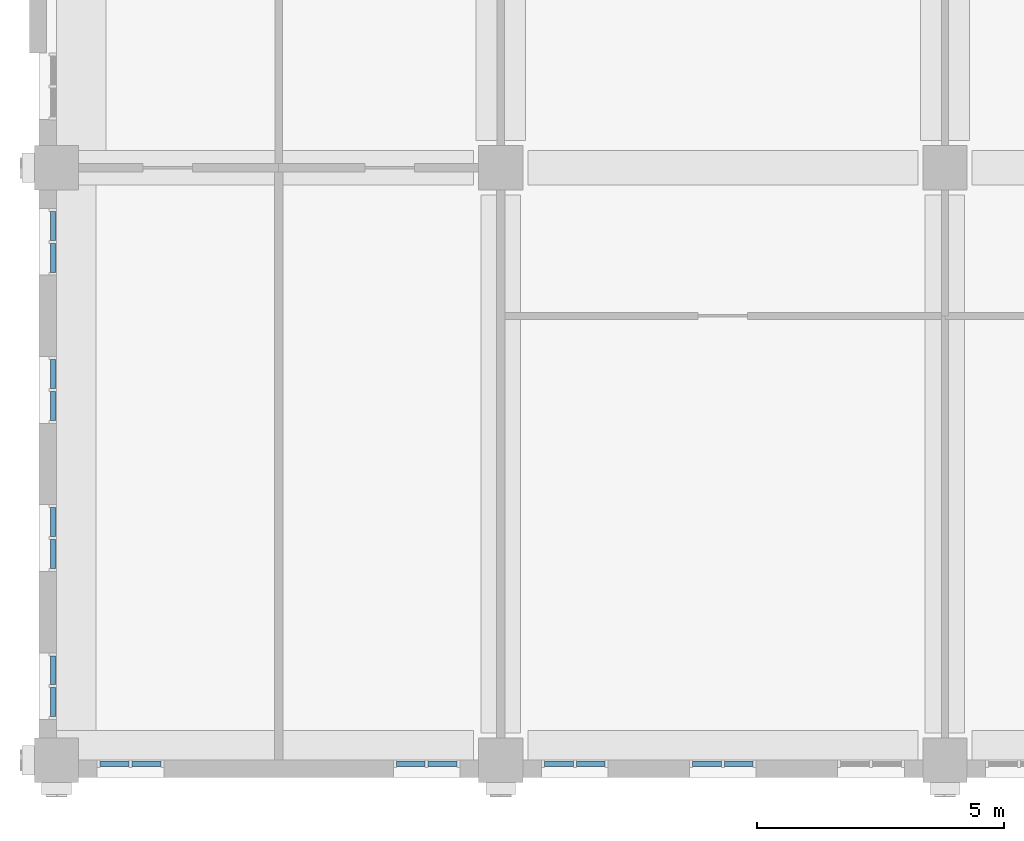
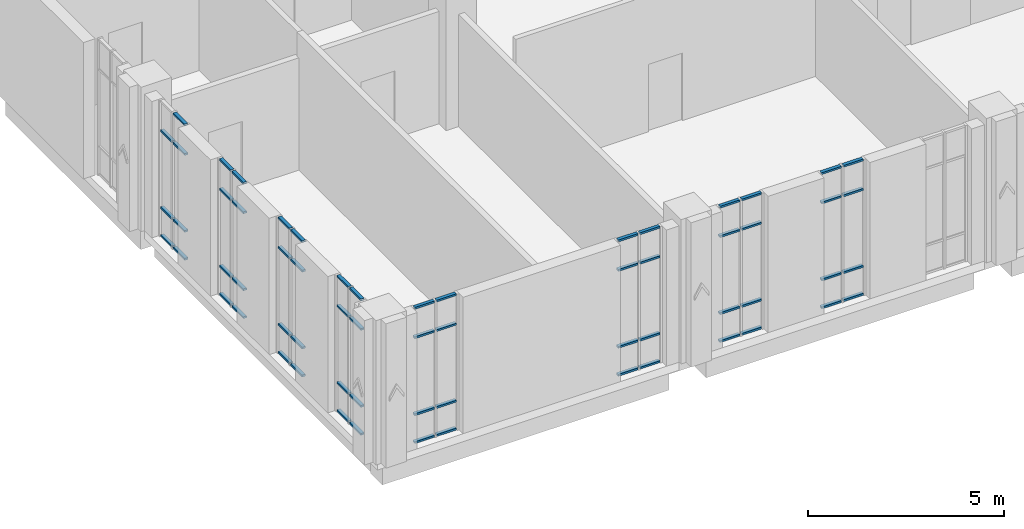
# One storey, part 10 of 25: 63 members, 8 elements without a shape of their own.
"""IFC4 building model written with IfcOpenShell, lengths in metres."""

from ifc_helpers import new_model, si_unit, direction, frame, origin, origin_2d, place, context, subcontext, project, spatial, rectangle, extrude, material, layer, layer_set, material_profile, profile_set, type_object, element, aggregate, save


model = new_model("IFC4")

# Units and contexts
model_context = context("Model", 3, precision=1e-05, world=origin(), true_north=direction((0.0, 1.0)))
body_context = subcontext(model_context, "Body", "Model", "MODEL_VIEW")
ifc_project = project(units=[si_unit("LENGTHUNIT", "METRE"), si_unit("AREAUNIT", "SQUARE_METRE"), si_unit("VOLUMEUNIT", "CUBIC_METRE"), si_unit("PLANEANGLEUNIT", "RADIAN"), si_unit("MASSUNIT", "GRAM", prefix="KILO")], contexts=[model_context])

# Site, building, storey
site_placement = place(None, origin())
site = spatial("IfcSite", under=ifc_project, at=site_placement, CompositionType="ELEMENT")
building_placement = place(site_placement, origin())
building = spatial("IfcBuilding", under=site, at=building_placement, Name="Aurelan Courthouse", CompositionType="ELEMENT")
storey_placement = place(building_placement, frame((0.0, 0.0, 44.39990234375)))
storey = spatial("IfcBuildingStorey", under=building, at=storey_placement, Name="L08", CompositionType="ELEMENT", Elevation=44.39990234375)

# Curtain wall, members
ifc_material_1 = material(Name="Bronze-finished aluminium and glass", Category="aluminium")
ifc_layer = layer(ifc_material_1, 0.14990234375)
ifc_layer_set = layer_set([ifc_layer], Name="Bronze-finished aluminium and glass")
curtain_wall_type = type_object("IfcCurtainWallType", Name="Curtain wall 1350 x 4250", PredefinedType="NOTDEFINED", material=ifc_layer_set)
curtain_wall_1_placement = place(storey_placement, origin())
curtain_wall_1 = element("IfcCurtainWall", 1, at=curtain_wall_1_placement, inside=storey, type_object=curtain_wall_type, Name="Curtain wall CW-V5-L08-S01", PredefinedType="NOTDEFINED")
ifc_material_2 = material(Name="Bronze-finished aluminium", Category="aluminium")
ifc_material_profile = material_profile(ifc_material_2, rectangle(XDim=0.10009765625, YDim=0.06005859375, at=origin_2d()), Name="Bronze transom 60 x 100")
ifc_profile_set = profile_set([ifc_material_profile], Name="Bronze-finished aluminium")
member_type = type_object("IfcMemberType", Name="Curtain wall transom 60 x 100", PredefinedType="USERDEFINED", material=ifc_profile_set)
member_1_placement = place(storey_placement, frame((0.885009765625, -0.074951171875, 0.030029296875), z_axis=(1.0, 0.0, 0.0), x_axis=(0.0, 1.0, 0.0)))
member_1 = element("IfcMember", 2, at=member_1_placement, type_object=member_type, Name="CW-V5-L08-S01 transom 1.1", ObjectType="TRANSOM", PredefinedType="USERDEFINED", context=body_context, shape_type="SweptSolid", body=[
    extrude(rectangle(XDim=0.10009765625, YDim=0.06005859375, at=origin_2d()), origin(), (0.0, 0.0, 1.0), 0.5849609375),
])
member_2_placement = place(storey_placement, frame((0.885009765625, -0.074951171875, 0.900146484375), z_axis=(1.0, 0.0, 0.0), x_axis=(0.0, 1.0, 0.0)))
member_2 = element("IfcMember", 3, at=member_2_placement, type_object=member_type, Name="CW-V5-L08-S01 transom 1.2", ObjectType="TRANSOM", PredefinedType="USERDEFINED", context=body_context, shape_type="SweptSolid", body=[
    extrude(rectangle(XDim=0.10009765625, YDim=0.06005859375, at=origin_2d()), origin(), (0.0, 0.0, 1.0), 0.5849609375),
])
member_3_placement = place(storey_placement, frame((0.885009765625, -0.074951171875, 3.300048828125), z_axis=(1.0, 0.0, 0.0), x_axis=(0.0, 1.0, 0.0)))
member_3 = element("IfcMember", 4, at=member_3_placement, type_object=member_type, Name="CW-V5-L08-S01 transom 1.3", ObjectType="TRANSOM", PredefinedType="USERDEFINED", context=body_context, shape_type="SweptSolid", body=[
    extrude(rectangle(XDim=0.10009765625, YDim=0.06005859375, at=origin_2d()), origin(), (0.0, 0.0, 1.0), 0.5849609375),
])
member_4_placement = place(storey_placement, frame((0.885009765625, -0.074951171875, 4.22021484375), z_axis=(1.0, 0.0, 0.0), x_axis=(0.0, 1.0, 0.0)))
member_4 = element("IfcMember", 5, at=member_4_placement, type_object=member_type, Name="CW-V5-L08-S01 transom 1.4", ObjectType="TRANSOM", PredefinedType="USERDEFINED", context=body_context, shape_type="SweptSolid", body=[
    extrude(rectangle(XDim=0.10009765625, YDim=0.06005859375, at=origin_2d()), origin(), (0.0, 0.0, 1.0), 0.5849609375),
])
member_5_placement = place(storey_placement, frame((1.530029296875, -0.074951171875, 0.030029296875), z_axis=(1.0, 0.0, 0.0), x_axis=(0.0, 1.0, 0.0)))
member_5 = element("IfcMember", 6, at=member_5_placement, type_object=member_type, Name="CW-V5-L08-S01 transom 2.1", ObjectType="TRANSOM", PredefinedType="USERDEFINED", context=body_context, shape_type="SweptSolid", body=[
    extrude(rectangle(XDim=0.10009765625, YDim=0.06005859375, at=origin_2d()), origin(), (0.0, 0.0, 1.0), 0.5849609375),
])
member_6_placement = place(storey_placement, frame((1.530029296875, -0.074951171875, 0.900146484375), z_axis=(1.0, 0.0, 0.0), x_axis=(0.0, 1.0, 0.0)))
member_6 = element("IfcMember", 7, at=member_6_placement, type_object=member_type, Name="CW-V5-L08-S01 transom 2.2", ObjectType="TRANSOM", PredefinedType="USERDEFINED", context=body_context, shape_type="SweptSolid", body=[
    extrude(rectangle(XDim=0.10009765625, YDim=0.06005859375, at=origin_2d()), origin(), (0.0, 0.0, 1.0), 0.5849609375),
])
member_7_placement = place(storey_placement, frame((1.530029296875, -0.074951171875, 3.300048828125), z_axis=(1.0, 0.0, 0.0), x_axis=(0.0, 1.0, 0.0)))
member_7 = element("IfcMember", 8, at=member_7_placement, type_object=member_type, Name="CW-V5-L08-S01 transom 2.3", ObjectType="TRANSOM", PredefinedType="USERDEFINED", context=body_context, shape_type="SweptSolid", body=[
    extrude(rectangle(XDim=0.10009765625, YDim=0.06005859375, at=origin_2d()), origin(), (0.0, 0.0, 1.0), 0.5849609375),
])
member_8_placement = place(storey_placement, frame((1.530029296875, -0.074951171875, 4.22021484375), z_axis=(1.0, 0.0, 0.0), x_axis=(0.0, 1.0, 0.0)))
member_8 = element("IfcMember", 9, at=member_8_placement, type_object=member_type, Name="CW-V5-L08-S01 transom 2.4", ObjectType="TRANSOM", PredefinedType="USERDEFINED", context=body_context, shape_type="SweptSolid", body=[
    extrude(rectangle(XDim=0.10009765625, YDim=0.06005859375, at=origin_2d()), origin(), (0.0, 0.0, 1.0), 0.5849609375),
])
aggregate(curtain_wall_1, [member_1, member_2, member_3, member_4, member_5, member_6, member_7, member_8])

curtain_wall_2_placement = place(storey_placement, origin())
curtain_wall_2 = element("IfcCurtainWall", 10, at=curtain_wall_2_placement, inside=storey, type_object=curtain_wall_type, Name="Curtain wall CW-V5-L08-S02", PredefinedType="NOTDEFINED")
member_9_placement = place(storey_placement, frame((6.885009765625, -0.074951171875, 0.030029296875), z_axis=(1.0, 0.0, 0.0), x_axis=(0.0, 1.0, 0.0)))
member_9 = element("IfcMember", 11, at=member_9_placement, type_object=member_type, Name="CW-V5-L08-S02 transom 1.1", ObjectType="TRANSOM", PredefinedType="USERDEFINED", context=body_context, shape_type="SweptSolid", body=[
    extrude(rectangle(XDim=0.10009765625, YDim=0.06005859375, at=origin_2d()), origin(), (0.0, 0.0, 1.0), 0.5849609375),
])
member_10_placement = place(storey_placement, frame((6.885009765625, -0.074951171875, 0.900146484375), z_axis=(1.0, 0.0, 0.0), x_axis=(0.0, 1.0, 0.0)))
member_10 = element("IfcMember", 12, at=member_10_placement, type_object=member_type, Name="CW-V5-L08-S02 transom 1.2", ObjectType="TRANSOM", PredefinedType="USERDEFINED", context=body_context, shape_type="SweptSolid", body=[
    extrude(rectangle(XDim=0.10009765625, YDim=0.06005859375, at=origin_2d()), origin(), (0.0, 0.0, 1.0), 0.5849609375),
])
member_11_placement = place(storey_placement, frame((6.885009765625, -0.074951171875, 3.300048828125), z_axis=(1.0, 0.0, 0.0), x_axis=(0.0, 1.0, 0.0)))
member_11 = element("IfcMember", 13, at=member_11_placement, type_object=member_type, Name="CW-V5-L08-S02 transom 1.3", ObjectType="TRANSOM", PredefinedType="USERDEFINED", context=body_context, shape_type="SweptSolid", body=[
    extrude(rectangle(XDim=0.10009765625, YDim=0.06005859375, at=origin_2d()), origin(), (0.0, 0.0, 1.0), 0.5849609375),
])
member_12_placement = place(storey_placement, frame((6.885009765625, -0.074951171875, 4.22021484375), z_axis=(1.0, 0.0, 0.0), x_axis=(0.0, 1.0, 0.0)))
member_12 = element("IfcMember", 14, at=member_12_placement, type_object=member_type, Name="CW-V5-L08-S02 transom 1.4", ObjectType="TRANSOM", PredefinedType="USERDEFINED", context=body_context, shape_type="SweptSolid", body=[
    extrude(rectangle(XDim=0.10009765625, YDim=0.06005859375, at=origin_2d()), origin(), (0.0, 0.0, 1.0), 0.5849609375),
])
member_13_placement = place(storey_placement, frame((7.530029296875, -0.074951171875, 0.030029296875), z_axis=(1.0, 0.0, 0.0), x_axis=(0.0, 1.0, 0.0)))
member_13 = element("IfcMember", 15, at=member_13_placement, type_object=member_type, Name="CW-V5-L08-S02 transom 2.1", ObjectType="TRANSOM", PredefinedType="USERDEFINED", context=body_context, shape_type="SweptSolid", body=[
    extrude(rectangle(XDim=0.10009765625, YDim=0.06005859375, at=origin_2d()), origin(), (0.0, 0.0, 1.0), 0.5849609375),
])
member_14_placement = place(storey_placement, frame((7.530029296875, -0.074951171875, 0.900146484375), z_axis=(1.0, 0.0, 0.0), x_axis=(0.0, 1.0, 0.0)))
member_14 = element("IfcMember", 16, at=member_14_placement, type_object=member_type, Name="CW-V5-L08-S02 transom 2.2", ObjectType="TRANSOM", PredefinedType="USERDEFINED", context=body_context, shape_type="SweptSolid", body=[
    extrude(rectangle(XDim=0.10009765625, YDim=0.06005859375, at=origin_2d()), origin(), (0.0, 0.0, 1.0), 0.5849609375),
])
member_15_placement = place(storey_placement, frame((7.530029296875, -0.074951171875, 3.300048828125), z_axis=(1.0, 0.0, 0.0), x_axis=(0.0, 1.0, 0.0)))
member_15 = element("IfcMember", 17, at=member_15_placement, type_object=member_type, Name="CW-V5-L08-S02 transom 2.3", ObjectType="TRANSOM", PredefinedType="USERDEFINED", context=body_context, shape_type="SweptSolid", body=[
    extrude(rectangle(XDim=0.10009765625, YDim=0.06005859375, at=origin_2d()), origin(), (0.0, 0.0, 1.0), 0.5849609375),
])
member_16_placement = place(storey_placement, frame((7.530029296875, -0.074951171875, 4.22021484375), z_axis=(1.0, 0.0, 0.0), x_axis=(0.0, 1.0, 0.0)))
member_16 = element("IfcMember", 18, at=member_16_placement, type_object=member_type, Name="CW-V5-L08-S02 transom 2.4", ObjectType="TRANSOM", PredefinedType="USERDEFINED", context=body_context, shape_type="SweptSolid", body=[
    extrude(rectangle(XDim=0.10009765625, YDim=0.06005859375, at=origin_2d()), origin(), (0.0, 0.0, 1.0), 0.5849609375),
])
aggregate(curtain_wall_2, [member_9, member_10, member_11, member_12, member_13, member_14, member_15, member_16])

curtain_wall_3_placement = place(storey_placement, origin())
curtain_wall_3 = element("IfcCurtainWall", 19, at=curtain_wall_3_placement, inside=storey, type_object=curtain_wall_type, Name="Curtain wall CW-V5-L08-S03", PredefinedType="NOTDEFINED")
member_17_placement = place(storey_placement, frame((9.885009765625, -0.074951171875, 0.030029296875), z_axis=(1.0, 0.0, 0.0), x_axis=(0.0, 1.0, 0.0)))
member_17 = element("IfcMember", 20, at=member_17_placement, type_object=member_type, Name="CW-V5-L08-S03 transom 1.1", ObjectType="TRANSOM", PredefinedType="USERDEFINED", context=body_context, shape_type="SweptSolid", body=[
    extrude(rectangle(XDim=0.10009765625, YDim=0.06005859375, at=origin_2d()), origin(), (0.0, 0.0, 1.0), 0.5849609375),
])
member_18_placement = place(storey_placement, frame((9.885009765625, -0.074951171875, 0.900146484375), z_axis=(1.0, 0.0, 0.0), x_axis=(0.0, 1.0, 0.0)))
member_18 = element("IfcMember", 21, at=member_18_placement, type_object=member_type, Name="CW-V5-L08-S03 transom 1.2", ObjectType="TRANSOM", PredefinedType="USERDEFINED", context=body_context, shape_type="SweptSolid", body=[
    extrude(rectangle(XDim=0.10009765625, YDim=0.06005859375, at=origin_2d()), origin(), (0.0, 0.0, 1.0), 0.5849609375),
])
member_19_placement = place(storey_placement, frame((9.885009765625, -0.074951171875, 3.300048828125), z_axis=(1.0, 0.0, 0.0), x_axis=(0.0, 1.0, 0.0)))
member_19 = element("IfcMember", 22, at=member_19_placement, type_object=member_type, Name="CW-V5-L08-S03 transom 1.3", ObjectType="TRANSOM", PredefinedType="USERDEFINED", context=body_context, shape_type="SweptSolid", body=[
    extrude(rectangle(XDim=0.10009765625, YDim=0.06005859375, at=origin_2d()), origin(), (0.0, 0.0, 1.0), 0.5849609375),
])
member_20_placement = place(storey_placement, frame((9.885009765625, -0.074951171875, 4.22021484375), z_axis=(1.0, 0.0, 0.0), x_axis=(0.0, 1.0, 0.0)))
member_20 = element("IfcMember", 23, at=member_20_placement, type_object=member_type, Name="CW-V5-L08-S03 transom 1.4", ObjectType="TRANSOM", PredefinedType="USERDEFINED", context=body_context, shape_type="SweptSolid", body=[
    extrude(rectangle(XDim=0.10009765625, YDim=0.06005859375, at=origin_2d()), origin(), (0.0, 0.0, 1.0), 0.5849609375),
])
member_21_placement = place(storey_placement, frame((10.530029296875, -0.074951171875, 0.030029296875), z_axis=(1.0, 0.0, 0.0), x_axis=(0.0, 1.0, 0.0)))
member_21 = element("IfcMember", 24, at=member_21_placement, type_object=member_type, Name="CW-V5-L08-S03 transom 2.1", ObjectType="TRANSOM", PredefinedType="USERDEFINED", context=body_context, shape_type="SweptSolid", body=[
    extrude(rectangle(XDim=0.10009765625, YDim=0.06005859375, at=origin_2d()), origin(), (0.0, 0.0, 1.0), 0.5849609375),
])
member_22_placement = place(storey_placement, frame((10.530029296875, -0.074951171875, 0.900146484375), z_axis=(1.0, 0.0, 0.0), x_axis=(0.0, 1.0, 0.0)))
member_22 = element("IfcMember", 25, at=member_22_placement, type_object=member_type, Name="CW-V5-L08-S03 transom 2.2", ObjectType="TRANSOM", PredefinedType="USERDEFINED", context=body_context, shape_type="SweptSolid", body=[
    extrude(rectangle(XDim=0.10009765625, YDim=0.06005859375, at=origin_2d()), origin(), (0.0, 0.0, 1.0), 0.5849609375),
])
member_23_placement = place(storey_placement, frame((10.530029296875, -0.074951171875, 3.300048828125), z_axis=(1.0, 0.0, 0.0), x_axis=(0.0, 1.0, 0.0)))
member_23 = element("IfcMember", 26, at=member_23_placement, type_object=member_type, Name="CW-V5-L08-S03 transom 2.3", ObjectType="TRANSOM", PredefinedType="USERDEFINED", context=body_context, shape_type="SweptSolid", body=[
    extrude(rectangle(XDim=0.10009765625, YDim=0.06005859375, at=origin_2d()), origin(), (0.0, 0.0, 1.0), 0.5849609375),
])
member_24_placement = place(storey_placement, frame((10.530029296875, -0.074951171875, 4.22021484375), z_axis=(1.0, 0.0, 0.0), x_axis=(0.0, 1.0, 0.0)))
member_24 = element("IfcMember", 27, at=member_24_placement, type_object=member_type, Name="CW-V5-L08-S03 transom 2.4", ObjectType="TRANSOM", PredefinedType="USERDEFINED", context=body_context, shape_type="SweptSolid", body=[
    extrude(rectangle(XDim=0.10009765625, YDim=0.06005859375, at=origin_2d()), origin(), (0.0, 0.0, 1.0), 0.5849609375),
])
aggregate(curtain_wall_3, [member_17, member_18, member_19, member_20, member_21, member_22, member_23, member_24])

curtain_wall_4_placement = place(storey_placement, origin())
curtain_wall_4 = element("IfcCurtainWall", 28, at=curtain_wall_4_placement, inside=storey, type_object=curtain_wall_type, Name="Curtain wall CW-V5-L08-S04", PredefinedType="NOTDEFINED")
member_25_placement = place(storey_placement, frame((12.885009765625, -0.074951171875, 0.030029296875), z_axis=(1.0, 0.0, 0.0), x_axis=(0.0, 1.0, 0.0)))
member_25 = element("IfcMember", 29, at=member_25_placement, type_object=member_type, Name="CW-V5-L08-S04 transom 1.1", ObjectType="TRANSOM", PredefinedType="USERDEFINED", context=body_context, shape_type="SweptSolid", body=[
    extrude(rectangle(XDim=0.10009765625, YDim=0.06005859375, at=origin_2d()), origin(), (0.0, 0.0, 1.0), 0.5849609375),
])
member_26_placement = place(storey_placement, frame((12.885009765625, -0.074951171875, 0.900146484375), z_axis=(1.0, 0.0, 0.0), x_axis=(0.0, 1.0, 0.0)))
member_26 = element("IfcMember", 30, at=member_26_placement, type_object=member_type, Name="CW-V5-L08-S04 transom 1.2", ObjectType="TRANSOM", PredefinedType="USERDEFINED", context=body_context, shape_type="SweptSolid", body=[
    extrude(rectangle(XDim=0.10009765625, YDim=0.06005859375, at=origin_2d()), origin(), (0.0, 0.0, 1.0), 0.5849609375),
])
member_27_placement = place(storey_placement, frame((12.885009765625, -0.074951171875, 3.300048828125), z_axis=(1.0, 0.0, 0.0), x_axis=(0.0, 1.0, 0.0)))
member_27 = element("IfcMember", 31, at=member_27_placement, type_object=member_type, Name="CW-V5-L08-S04 transom 1.3", ObjectType="TRANSOM", PredefinedType="USERDEFINED", context=body_context, shape_type="SweptSolid", body=[
    extrude(rectangle(XDim=0.10009765625, YDim=0.06005859375, at=origin_2d()), origin(), (0.0, 0.0, 1.0), 0.5849609375),
])
member_28_placement = place(storey_placement, frame((12.885009765625, -0.074951171875, 4.22021484375), z_axis=(1.0, 0.0, 0.0), x_axis=(0.0, 1.0, 0.0)))
member_28 = element("IfcMember", 32, at=member_28_placement, type_object=member_type, Name="CW-V5-L08-S04 transom 1.4", ObjectType="TRANSOM", PredefinedType="USERDEFINED", context=body_context, shape_type="SweptSolid", body=[
    extrude(rectangle(XDim=0.10009765625, YDim=0.06005859375, at=origin_2d()), origin(), (0.0, 0.0, 1.0), 0.5849609375),
])
member_29_placement = place(storey_placement, frame((13.530029296875, -0.074951171875, 0.030029296875), z_axis=(1.0, 0.0, 0.0), x_axis=(0.0, 1.0, 0.0)))
member_29 = element("IfcMember", 33, at=member_29_placement, type_object=member_type, Name="CW-V5-L08-S04 transom 2.1", ObjectType="TRANSOM", PredefinedType="USERDEFINED", context=body_context, shape_type="SweptSolid", body=[
    extrude(rectangle(XDim=0.10009765625, YDim=0.06005859375, at=origin_2d()), origin(), (0.0, 0.0, 1.0), 0.5849609375),
])
member_30_placement = place(storey_placement, frame((13.530029296875, -0.074951171875, 0.900146484375), z_axis=(1.0, 0.0, 0.0), x_axis=(0.0, 1.0, 0.0)))
member_30 = element("IfcMember", 34, at=member_30_placement, type_object=member_type, Name="CW-V5-L08-S04 transom 2.2", ObjectType="TRANSOM", PredefinedType="USERDEFINED", context=body_context, shape_type="SweptSolid", body=[
    extrude(rectangle(XDim=0.10009765625, YDim=0.06005859375, at=origin_2d()), origin(), (0.0, 0.0, 1.0), 0.5849609375),
])
member_31_placement = place(storey_placement, frame((13.530029296875, -0.074951171875, 3.300048828125), z_axis=(1.0, 0.0, 0.0), x_axis=(0.0, 1.0, 0.0)))
member_31 = element("IfcMember", 35, at=member_31_placement, type_object=member_type, Name="CW-V5-L08-S04 transom 2.3", ObjectType="TRANSOM", PredefinedType="USERDEFINED", context=body_context, shape_type="SweptSolid", body=[
    extrude(rectangle(XDim=0.10009765625, YDim=0.06005859375, at=origin_2d()), origin(), (0.0, 0.0, 1.0), 0.5849609375),
])
member_32_placement = place(storey_placement, frame((13.530029296875, -0.074951171875, 4.22021484375), z_axis=(1.0, 0.0, 0.0), x_axis=(0.0, 1.0, 0.0)))
member_32 = element("IfcMember", 36, at=member_32_placement, type_object=member_type, Name="CW-V5-L08-S04 transom 2.4", ObjectType="TRANSOM", PredefinedType="USERDEFINED", context=body_context, shape_type="SweptSolid", body=[
    extrude(rectangle(XDim=0.10009765625, YDim=0.06005859375, at=origin_2d()), origin(), (0.0, 0.0, 1.0), 0.5849609375),
])
aggregate(curtain_wall_4, [member_25, member_26, member_27, member_28, member_29, member_30, member_31, member_32])

curtain_wall_5_placement = place(storey_placement, origin())
curtain_wall_5 = element("IfcCurtainWall", 37, at=curtain_wall_5_placement, inside=storey, type_object=curtain_wall_type, Name="Curtain wall CW-V5-L08-W01", PredefinedType="NOTDEFINED")
member_33_placement = place(storey_placement, frame((-0.074951171875, 0.885009765625, 0.030029296875), z_axis=(0.0, 1.0, 0.0), x_axis=(-1.0, 0.0, 0.0)))
member_33 = element("IfcMember", 38, at=member_33_placement, type_object=member_type, Name="CW-V5-L08-W01 transom 1.1", ObjectType="TRANSOM", PredefinedType="USERDEFINED", context=body_context, shape_type="SweptSolid", body=[
    extrude(rectangle(XDim=0.10009765625, YDim=0.06005859375, at=origin_2d()), origin(), (0.0, 0.0, 1.0), 0.5849609375),
])
member_34_placement = place(storey_placement, frame((-0.074951171875, 0.885009765625, 0.900146484375), z_axis=(0.0, 1.0, 0.0), x_axis=(-1.0, 0.0, 0.0)))
member_34 = element("IfcMember", 39, at=member_34_placement, type_object=member_type, Name="CW-V5-L08-W01 transom 1.2", ObjectType="TRANSOM", PredefinedType="USERDEFINED", context=body_context, shape_type="SweptSolid", body=[
    extrude(rectangle(XDim=0.10009765625, YDim=0.06005859375, at=origin_2d()), origin(), (0.0, 0.0, 1.0), 0.5849609375),
])
member_35_placement = place(storey_placement, frame((-0.074951171875, 0.885009765625, 3.300048828125), z_axis=(0.0, 1.0, 0.0), x_axis=(-1.0, 0.0, 0.0)))
member_35 = element("IfcMember", 40, at=member_35_placement, type_object=member_type, Name="CW-V5-L08-W01 transom 1.3", ObjectType="TRANSOM", PredefinedType="USERDEFINED", context=body_context, shape_type="SweptSolid", body=[
    extrude(rectangle(XDim=0.10009765625, YDim=0.06005859375, at=origin_2d()), origin(), (0.0, 0.0, 1.0), 0.5849609375),
])
member_36_placement = place(storey_placement, frame((-0.074951171875, 0.885009765625, 4.22021484375), z_axis=(0.0, 1.0, 0.0), x_axis=(-1.0, 0.0, 0.0)))
member_36 = element("IfcMember", 41, at=member_36_placement, type_object=member_type, Name="CW-V5-L08-W01 transom 1.4", ObjectType="TRANSOM", PredefinedType="USERDEFINED", context=body_context, shape_type="SweptSolid", body=[
    extrude(rectangle(XDim=0.10009765625, YDim=0.06005859375, at=origin_2d()), origin(), (0.0, 0.0, 1.0), 0.5849609375),
])
member_37_placement = place(storey_placement, frame((-0.074951171875, 1.530029296875, 0.030029296875), z_axis=(0.0, 1.0, 0.0), x_axis=(-1.0, 0.0, 0.0)))
member_37 = element("IfcMember", 42, at=member_37_placement, type_object=member_type, Name="CW-V5-L08-W01 transom 2.1", ObjectType="TRANSOM", PredefinedType="USERDEFINED", context=body_context, shape_type="SweptSolid", body=[
    extrude(rectangle(XDim=0.10009765625, YDim=0.06005859375, at=origin_2d()), origin(), (0.0, 0.0, 1.0), 0.5849609375),
])
member_38_placement = place(storey_placement, frame((-0.074951171875, 1.530029296875, 0.900146484375), z_axis=(0.0, 1.0, 0.0), x_axis=(-1.0, 0.0, 0.0)))
member_38 = element("IfcMember", 43, at=member_38_placement, type_object=member_type, Name="CW-V5-L08-W01 transom 2.2", ObjectType="TRANSOM", PredefinedType="USERDEFINED", context=body_context, shape_type="SweptSolid", body=[
    extrude(rectangle(XDim=0.10009765625, YDim=0.06005859375, at=origin_2d()), origin(), (0.0, 0.0, 1.0), 0.5849609375),
])
member_39_placement = place(storey_placement, frame((-0.074951171875, 1.530029296875, 3.300048828125), z_axis=(0.0, 1.0, 0.0), x_axis=(-1.0, 0.0, 0.0)))
member_39 = element("IfcMember", 44, at=member_39_placement, type_object=member_type, Name="CW-V5-L08-W01 transom 2.3", ObjectType="TRANSOM", PredefinedType="USERDEFINED", context=body_context, shape_type="SweptSolid", body=[
    extrude(rectangle(XDim=0.10009765625, YDim=0.06005859375, at=origin_2d()), origin(), (0.0, 0.0, 1.0), 0.5849609375),
])
member_40_placement = place(storey_placement, frame((-0.074951171875, 1.530029296875, 4.22021484375), z_axis=(0.0, 1.0, 0.0), x_axis=(-1.0, 0.0, 0.0)))
member_40 = element("IfcMember", 45, at=member_40_placement, type_object=member_type, Name="CW-V5-L08-W01 transom 2.4", ObjectType="TRANSOM", PredefinedType="USERDEFINED", context=body_context, shape_type="SweptSolid", body=[
    extrude(rectangle(XDim=0.10009765625, YDim=0.06005859375, at=origin_2d()), origin(), (0.0, 0.0, 1.0), 0.5849609375),
])
aggregate(curtain_wall_5, [member_33, member_34, member_35, member_36, member_37, member_38, member_39, member_40])

curtain_wall_6_placement = place(storey_placement, origin())
curtain_wall_6 = element("IfcCurtainWall", 46, at=curtain_wall_6_placement, inside=storey, type_object=curtain_wall_type, Name="Curtain wall CW-V5-L08-W02", PredefinedType="NOTDEFINED")
member_41_placement = place(storey_placement, frame((-0.074951171875, 3.885009765625, 0.030029296875), z_axis=(0.0, 1.0, 0.0), x_axis=(-1.0, 0.0, 0.0)))
member_41 = element("IfcMember", 47, at=member_41_placement, type_object=member_type, Name="CW-V5-L08-W02 transom 1.1", ObjectType="TRANSOM", PredefinedType="USERDEFINED", context=body_context, shape_type="SweptSolid", body=[
    extrude(rectangle(XDim=0.10009765625, YDim=0.06005859375, at=origin_2d()), origin(), (0.0, 0.0, 1.0), 0.5849609375),
])
member_42_placement = place(storey_placement, frame((-0.074951171875, 3.885009765625, 0.900146484375), z_axis=(0.0, 1.0, 0.0), x_axis=(-1.0, 0.0, 0.0)))
member_42 = element("IfcMember", 48, at=member_42_placement, type_object=member_type, Name="CW-V5-L08-W02 transom 1.2", ObjectType="TRANSOM", PredefinedType="USERDEFINED", context=body_context, shape_type="SweptSolid", body=[
    extrude(rectangle(XDim=0.10009765625, YDim=0.06005859375, at=origin_2d()), origin(), (0.0, 0.0, 1.0), 0.5849609375),
])
member_43_placement = place(storey_placement, frame((-0.074951171875, 3.885009765625, 3.300048828125), z_axis=(0.0, 1.0, 0.0), x_axis=(-1.0, 0.0, 0.0)))
member_43 = element("IfcMember", 49, at=member_43_placement, type_object=member_type, Name="CW-V5-L08-W02 transom 1.3", ObjectType="TRANSOM", PredefinedType="USERDEFINED", context=body_context, shape_type="SweptSolid", body=[
    extrude(rectangle(XDim=0.10009765625, YDim=0.06005859375, at=origin_2d()), origin(), (0.0, 0.0, 1.0), 0.5849609375),
])
member_44_placement = place(storey_placement, frame((-0.074951171875, 3.885009765625, 4.22021484375), z_axis=(0.0, 1.0, 0.0), x_axis=(-1.0, 0.0, 0.0)))
member_44 = element("IfcMember", 50, at=member_44_placement, type_object=member_type, Name="CW-V5-L08-W02 transom 1.4", ObjectType="TRANSOM", PredefinedType="USERDEFINED", context=body_context, shape_type="SweptSolid", body=[
    extrude(rectangle(XDim=0.10009765625, YDim=0.06005859375, at=origin_2d()), origin(), (0.0, 0.0, 1.0), 0.5849609375),
])
member_45_placement = place(storey_placement, frame((-0.074951171875, 4.530029296875, 0.030029296875), z_axis=(0.0, 1.0, 0.0), x_axis=(-1.0, 0.0, 0.0)))
member_45 = element("IfcMember", 51, at=member_45_placement, type_object=member_type, Name="CW-V5-L08-W02 transom 2.1", ObjectType="TRANSOM", PredefinedType="USERDEFINED", context=body_context, shape_type="SweptSolid", body=[
    extrude(rectangle(XDim=0.10009765625, YDim=0.06005859375, at=origin_2d()), origin(), (0.0, 0.0, 1.0), 0.5849609375),
])
member_46_placement = place(storey_placement, frame((-0.074951171875, 4.530029296875, 0.900146484375), z_axis=(0.0, 1.0, 0.0), x_axis=(-1.0, 0.0, 0.0)))
member_46 = element("IfcMember", 52, at=member_46_placement, type_object=member_type, Name="CW-V5-L08-W02 transom 2.2", ObjectType="TRANSOM", PredefinedType="USERDEFINED", context=body_context, shape_type="SweptSolid", body=[
    extrude(rectangle(XDim=0.10009765625, YDim=0.06005859375, at=origin_2d()), origin(), (0.0, 0.0, 1.0), 0.5849609375),
])
member_47_placement = place(storey_placement, frame((-0.074951171875, 4.530029296875, 3.300048828125), z_axis=(0.0, 1.0, 0.0), x_axis=(-1.0, 0.0, 0.0)))
member_47 = element("IfcMember", 53, at=member_47_placement, type_object=member_type, Name="CW-V5-L08-W02 transom 2.3", ObjectType="TRANSOM", PredefinedType="USERDEFINED", context=body_context, shape_type="SweptSolid", body=[
    extrude(rectangle(XDim=0.10009765625, YDim=0.06005859375, at=origin_2d()), origin(), (0.0, 0.0, 1.0), 0.5849609375),
])
member_48_placement = place(storey_placement, frame((-0.074951171875, 4.530029296875, 4.22021484375), z_axis=(0.0, 1.0, 0.0), x_axis=(-1.0, 0.0, 0.0)))
member_48 = element("IfcMember", 54, at=member_48_placement, type_object=member_type, Name="CW-V5-L08-W02 transom 2.4", ObjectType="TRANSOM", PredefinedType="USERDEFINED", context=body_context, shape_type="SweptSolid", body=[
    extrude(rectangle(XDim=0.10009765625, YDim=0.06005859375, at=origin_2d()), origin(), (0.0, 0.0, 1.0), 0.5849609375),
])
aggregate(curtain_wall_6, [member_41, member_42, member_43, member_44, member_45, member_46, member_47, member_48])

curtain_wall_7_placement = place(storey_placement, origin())
curtain_wall_7 = element("IfcCurtainWall", 55, at=curtain_wall_7_placement, inside=storey, type_object=curtain_wall_type, Name="Curtain wall CW-V5-L08-W03", PredefinedType="NOTDEFINED")
member_49_placement = place(storey_placement, frame((-0.074951171875, 6.885009765625, 0.030029296875), z_axis=(0.0, 1.0, 0.0), x_axis=(-1.0, 0.0, 0.0)))
member_49 = element("IfcMember", 56, at=member_49_placement, type_object=member_type, Name="CW-V5-L08-W03 transom 1.1", ObjectType="TRANSOM", PredefinedType="USERDEFINED", context=body_context, shape_type="SweptSolid", body=[
    extrude(rectangle(XDim=0.10009765625, YDim=0.06005859375, at=origin_2d()), origin(), (0.0, 0.0, 1.0), 0.5849609375),
])
member_50_placement = place(storey_placement, frame((-0.074951171875, 6.885009765625, 0.900146484375), z_axis=(0.0, 1.0, 0.0), x_axis=(-1.0, 0.0, 0.0)))
member_50 = element("IfcMember", 57, at=member_50_placement, type_object=member_type, Name="CW-V5-L08-W03 transom 1.2", ObjectType="TRANSOM", PredefinedType="USERDEFINED", context=body_context, shape_type="SweptSolid", body=[
    extrude(rectangle(XDim=0.10009765625, YDim=0.06005859375, at=origin_2d()), origin(), (0.0, 0.0, 1.0), 0.5849609375),
])
member_51_placement = place(storey_placement, frame((-0.074951171875, 6.885009765625, 3.300048828125), z_axis=(0.0, 1.0, 0.0), x_axis=(-1.0, 0.0, 0.0)))
member_51 = element("IfcMember", 58, at=member_51_placement, type_object=member_type, Name="CW-V5-L08-W03 transom 1.3", ObjectType="TRANSOM", PredefinedType="USERDEFINED", context=body_context, shape_type="SweptSolid", body=[
    extrude(rectangle(XDim=0.10009765625, YDim=0.06005859375, at=origin_2d()), origin(), (0.0, 0.0, 1.0), 0.5849609375),
])
member_52_placement = place(storey_placement, frame((-0.074951171875, 6.885009765625, 4.22021484375), z_axis=(0.0, 1.0, 0.0), x_axis=(-1.0, 0.0, 0.0)))
member_52 = element("IfcMember", 59, at=member_52_placement, type_object=member_type, Name="CW-V5-L08-W03 transom 1.4", ObjectType="TRANSOM", PredefinedType="USERDEFINED", context=body_context, shape_type="SweptSolid", body=[
    extrude(rectangle(XDim=0.10009765625, YDim=0.06005859375, at=origin_2d()), origin(), (0.0, 0.0, 1.0), 0.5849609375),
])
member_53_placement = place(storey_placement, frame((-0.074951171875, 7.530029296875, 0.030029296875), z_axis=(0.0, 1.0, 0.0), x_axis=(-1.0, 0.0, 0.0)))
member_53 = element("IfcMember", 60, at=member_53_placement, type_object=member_type, Name="CW-V5-L08-W03 transom 2.1", ObjectType="TRANSOM", PredefinedType="USERDEFINED", context=body_context, shape_type="SweptSolid", body=[
    extrude(rectangle(XDim=0.10009765625, YDim=0.06005859375, at=origin_2d()), origin(), (0.0, 0.0, 1.0), 0.5849609375),
])
member_54_placement = place(storey_placement, frame((-0.074951171875, 7.530029296875, 0.900146484375), z_axis=(0.0, 1.0, 0.0), x_axis=(-1.0, 0.0, 0.0)))
member_54 = element("IfcMember", 61, at=member_54_placement, type_object=member_type, Name="CW-V5-L08-W03 transom 2.2", ObjectType="TRANSOM", PredefinedType="USERDEFINED", context=body_context, shape_type="SweptSolid", body=[
    extrude(rectangle(XDim=0.10009765625, YDim=0.06005859375, at=origin_2d()), origin(), (0.0, 0.0, 1.0), 0.5849609375),
])
member_55_placement = place(storey_placement, frame((-0.074951171875, 7.530029296875, 3.300048828125), z_axis=(0.0, 1.0, 0.0), x_axis=(-1.0, 0.0, 0.0)))
member_55 = element("IfcMember", 62, at=member_55_placement, type_object=member_type, Name="CW-V5-L08-W03 transom 2.3", ObjectType="TRANSOM", PredefinedType="USERDEFINED", context=body_context, shape_type="SweptSolid", body=[
    extrude(rectangle(XDim=0.10009765625, YDim=0.06005859375, at=origin_2d()), origin(), (0.0, 0.0, 1.0), 0.5849609375),
])
member_56_placement = place(storey_placement, frame((-0.074951171875, 7.530029296875, 4.22021484375), z_axis=(0.0, 1.0, 0.0), x_axis=(-1.0, 0.0, 0.0)))
member_56 = element("IfcMember", 63, at=member_56_placement, type_object=member_type, Name="CW-V5-L08-W03 transom 2.4", ObjectType="TRANSOM", PredefinedType="USERDEFINED", context=body_context, shape_type="SweptSolid", body=[
    extrude(rectangle(XDim=0.10009765625, YDim=0.06005859375, at=origin_2d()), origin(), (0.0, 0.0, 1.0), 0.5849609375),
])
aggregate(curtain_wall_7, [member_49, member_50, member_51, member_52, member_53, member_54, member_55, member_56])

curtain_wall_8_placement = place(storey_placement, origin())
curtain_wall_8 = element("IfcCurtainWall", 64, at=curtain_wall_8_placement, inside=storey, type_object=curtain_wall_type, Name="Curtain wall CW-V5-L08-W04", PredefinedType="NOTDEFINED")
member_57_placement = place(storey_placement, frame((-0.074951171875, 9.885009765625, 0.030029296875), z_axis=(0.0, 1.0, 0.0), x_axis=(-1.0, 0.0, 0.0)))
member_57 = element("IfcMember", 65, at=member_57_placement, type_object=member_type, Name="CW-V5-L08-W04 transom 1.1", ObjectType="TRANSOM", PredefinedType="USERDEFINED", context=body_context, shape_type="SweptSolid", body=[
    extrude(rectangle(XDim=0.10009765625, YDim=0.06005859375, at=origin_2d()), origin(), (0.0, 0.0, 1.0), 0.5849609375),
])
member_58_placement = place(storey_placement, frame((-0.074951171875, 9.885009765625, 0.900146484375), z_axis=(0.0, 1.0, 0.0), x_axis=(-1.0, 0.0, 0.0)))
member_58 = element("IfcMember", 66, at=member_58_placement, type_object=member_type, Name="CW-V5-L08-W04 transom 1.2", ObjectType="TRANSOM", PredefinedType="USERDEFINED", context=body_context, shape_type="SweptSolid", body=[
    extrude(rectangle(XDim=0.10009765625, YDim=0.06005859375, at=origin_2d()), origin(), (0.0, 0.0, 1.0), 0.5849609375),
])
member_59_placement = place(storey_placement, frame((-0.074951171875, 9.885009765625, 3.300048828125), z_axis=(0.0, 1.0, 0.0), x_axis=(-1.0, 0.0, 0.0)))
member_59 = element("IfcMember", 67, at=member_59_placement, type_object=member_type, Name="CW-V5-L08-W04 transom 1.3", ObjectType="TRANSOM", PredefinedType="USERDEFINED", context=body_context, shape_type="SweptSolid", body=[
    extrude(rectangle(XDim=0.10009765625, YDim=0.06005859375, at=origin_2d()), origin(), (0.0, 0.0, 1.0), 0.5849609375),
])
member_60_placement = place(storey_placement, frame((-0.074951171875, 9.885009765625, 4.22021484375), z_axis=(0.0, 1.0, 0.0), x_axis=(-1.0, 0.0, 0.0)))
member_60 = element("IfcMember", 68, at=member_60_placement, type_object=member_type, Name="CW-V5-L08-W04 transom 1.4", ObjectType="TRANSOM", PredefinedType="USERDEFINED", context=body_context, shape_type="SweptSolid", body=[
    extrude(rectangle(XDim=0.10009765625, YDim=0.06005859375, at=origin_2d()), origin(), (0.0, 0.0, 1.0), 0.5849609375),
])
member_61_placement = place(storey_placement, frame((-0.074951171875, 10.530029296875, 0.030029296875), z_axis=(0.0, 1.0, 0.0), x_axis=(-1.0, 0.0, 0.0)))
member_61 = element("IfcMember", 69, at=member_61_placement, type_object=member_type, Name="CW-V5-L08-W04 transom 2.1", ObjectType="TRANSOM", PredefinedType="USERDEFINED", context=body_context, shape_type="SweptSolid", body=[
    extrude(rectangle(XDim=0.10009765625, YDim=0.06005859375, at=origin_2d()), origin(), (0.0, 0.0, 1.0), 0.5849609375),
])
member_62_placement = place(storey_placement, frame((-0.074951171875, 10.530029296875, 0.900146484375), z_axis=(0.0, 1.0, 0.0), x_axis=(-1.0, 0.0, 0.0)))
member_62 = element("IfcMember", 70, at=member_62_placement, type_object=member_type, Name="CW-V5-L08-W04 transom 2.2", ObjectType="TRANSOM", PredefinedType="USERDEFINED", context=body_context, shape_type="SweptSolid", body=[
    extrude(rectangle(XDim=0.10009765625, YDim=0.06005859375, at=origin_2d()), origin(), (0.0, 0.0, 1.0), 0.5849609375),
])
member_63_placement = place(storey_placement, frame((-0.074951171875, 10.530029296875, 3.300048828125), z_axis=(0.0, 1.0, 0.0), x_axis=(-1.0, 0.0, 0.0)))
member_63 = element("IfcMember", 71, at=member_63_placement, type_object=member_type, Name="CW-V5-L08-W04 transom 2.3", ObjectType="TRANSOM", PredefinedType="USERDEFINED", context=body_context, shape_type="SweptSolid", body=[
    extrude(rectangle(XDim=0.10009765625, YDim=0.06005859375, at=origin_2d()), origin(), (0.0, 0.0, 1.0), 0.5849609375),
])
aggregate(curtain_wall_8, [member_57, member_58, member_59, member_60, member_61, member_62, member_63])

save(model, "model.ifc")
